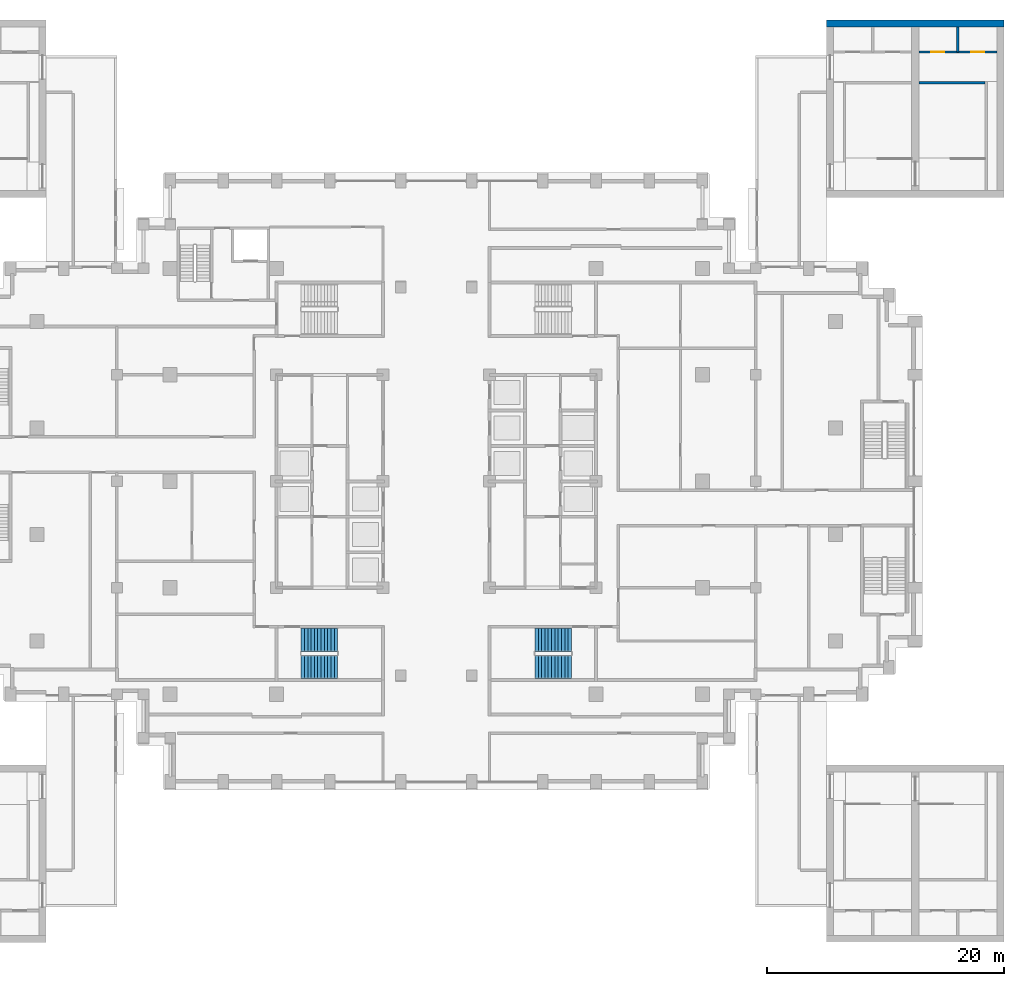
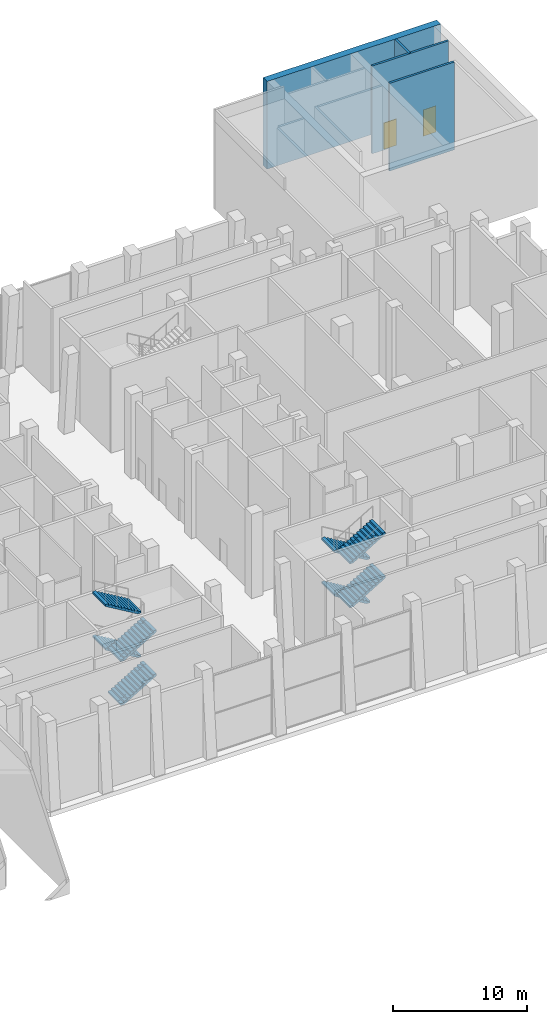
# One storey, part 17 of 24: 8 stair flights, 4 walls, 2 doors, 2 openings, 2 elements without a shape of their own.
"""IFC4 building model written with IfcOpenShell, lengths in metres."""

import ifcopenshell
import ifcopenshell.guid

model = None  # the IFC model being written
_history = None  # IfcOwnerHistory: only IFC2X3 demands one
_inside = {}  # id of a spatial element -> (the spatial element, [elements in it])
_under = {}  # id of a project, library or spatial element -> (it, [spatial elements below it])
_declared = {}  # id of a project -> (the project, [libraries it declares])
_typed = {}  # id of a type object -> (the type object, [elements of that type])
_made_of = {}  # id of a material, layer set ... -> (it, [elements and type objects made of it])


def new_model(schema):
    """Start an empty IFC model of exactly this schema.

    Asked for "IFC4X3", IfcOpenShell would pick the latest addendum, in which some entities
    have other attributes; the version numbers below select the first issue.
    IFC2X3 requires an IfcOwnerHistory on every rooted entity: one is made here for all.
    """
    global model, _history
    if schema == "IFC4X3":
        model = ifcopenshell.file(schema_version=(4, 3, 0, 0))
    else:
        model = ifcopenshell.file(schema=schema)
    _inside.clear()
    _under.clear()
    _declared.clear()
    _typed.clear()
    _made_of.clear()
    _history = None
    if model.schema == "IFC2X3":
        org = make("IfcOrganization", Name="unknown")
        user = make(
            "IfcPersonAndOrganization",
            ThePerson=make("IfcPerson", FamilyName="unknown"),
            TheOrganization=org,
        )
        app = make(
            "IfcApplication",
            ApplicationDeveloper=org,
            Version="unknown",
            ApplicationFullName="unknown",
            ApplicationIdentifier="unknown",
        )
        _history = make(
            "IfcOwnerHistory",
            OwningUser=user,
            OwningApplication=app,
            ChangeAction="ADDED",
            CreationDate=0,
        )
    return model


def make(cls, **values):
    """One entity of the class cls with the attributes given. An attribute that is None is left unset."""
    return model.create_entity(
        cls, **{name: value for name, value in values.items() if value is not None}
    )


def rooted(cls, **values):
    """An entity with a GlobalId (a new one), such as an element, a storey or a relation."""
    return make(cls, GlobalId=ifcopenshell.guid.new(), OwnerHistory=_history, **values)


def si_unit(unit_type, name, prefix=None):
    """IfcSIUnit, for example si_unit("LENGTHUNIT", "METRE", prefix="MILLI")."""
    return make("IfcSIUnit", UnitType=unit_type, Prefix=prefix, Name=name)


def assignment(units):
    """IfcUnitAssignment: the units of a project."""
    return None if units is None else make("IfcUnitAssignment", Units=units)


def point(xyz):
    """IfcCartesianPoint."""
    return None if xyz is None else make("IfcCartesianPoint", Coordinates=xyz)


def direction(xyz):
    """IfcDirection."""
    return None if xyz is None else make("IfcDirection", DirectionRatios=xyz)


def frame(location, z_axis=None, x_axis=None):
    """IfcAxis2Placement3D, a coordinate frame: its origin and axes. An axis left out is left unset."""
    return make(
        "IfcAxis2Placement3D",
        Location=point(location),
        Axis=direction(z_axis),
        RefDirection=direction(x_axis),
    )


def frame_2d(location, x_axis=None):
    """IfcAxis2Placement2D, a coordinate frame in the plane: its origin and x axis."""
    return make(
        "IfcAxis2Placement2D", Location=point(location), RefDirection=direction(x_axis)
    )


def origin():
    """The frame at (0, 0, 0) with its axes left unset."""
    return frame((0.0, 0.0, 0.0))


def place(relative_to, where):
    """IfcLocalPlacement: puts the frame where relative to a parent placement (None: the world)."""
    return make(
        "IfcLocalPlacement", PlacementRelTo=relative_to, RelativePlacement=where
    )


def context(
    kind, dimensions, precision=None, world=None, true_north=None, identifier=None
):
    """IfcGeometricRepresentationContext, for example the 3D "Model" context."""
    return make(
        "IfcGeometricRepresentationContext",
        ContextIdentifier=identifier,
        ContextType=kind,
        CoordinateSpaceDimension=dimensions,
        Precision=precision,
        WorldCoordinateSystem=world,
        TrueNorth=true_north,
    )


def subcontext(parent, identifier, kind, view, scale=None):
    """IfcGeometricRepresentationSubContext, for example "Body" below "Model"."""
    return make(
        "IfcGeometricRepresentationSubContext",
        ContextIdentifier=identifier,
        ContextType=kind,
        ParentContext=parent,
        TargetScale=scale,
        TargetView=view,
    )


def project(units=None, contexts=None):
    """IfcProject with its units and contexts."""
    return rooted(
        "IfcProject",
        Name="project",
        RepresentationContexts=contexts,
        UnitsInContext=assignment(units),
    )


def spatial(cls, under=None, at=None, **own):
    """A site, building, storey or space (cls), placed at a placement, below another one or the project."""
    s = rooted(cls, ObjectPlacement=at, **own)
    if under is not None:
        _under.setdefault(under.id(), (under, []))[1].append(s)
    return s


def polyline(points):
    """IfcPolyline through the points."""
    return make("IfcPolyline", Points=[point(p) for p in points])


def profile(cls, at=None, kind="AREA", **sizes):
    """A parametric profile (cls). Its sizes go by their IFC names, for example OverallWidth=200.0."""
    return make(cls, ProfileType=kind, Position=at, **sizes)


def rectangle(**sizes):
    """IfcRectangleProfileDef."""
    return profile("IfcRectangleProfileDef", **sizes)


def outline(outer, holes=None, kind="AREA"):
    """IfcArbitraryClosedProfileDef: a profile drawn as a closed curve; with holes, ...WithVoids."""
    if holes is None:
        return make("IfcArbitraryClosedProfileDef", ProfileType=kind, OuterCurve=outer)
    return make(
        "IfcArbitraryProfileDefWithVoids",
        ProfileType=kind,
        OuterCurve=outer,
        InnerCurves=holes,
    )


def extrude(swept, where, along, depth):
    """IfcExtrudedAreaSolid: the profile swept, set in the frame where, extruded along a direction by depth."""
    return make(
        "IfcExtrudedAreaSolid",
        SweptArea=swept,
        Position=where,
        ExtrudedDirection=direction(along),
        Depth=depth,
    )


def shape(context_of_items, identifier, shape_type, items):
    """IfcShapeRepresentation: the items that make up one representation, for example the "Body"."""
    return make(
        "IfcShapeRepresentation",
        ContextOfItems=context_of_items,
        RepresentationIdentifier=identifier,
        RepresentationType=shape_type,
        Items=items,
    )


def material(Name=None, Category=None):
    """IfcMaterial."""
    return make("IfcMaterial", Name=Name, Category=Category)


def layer(
    of_material, thickness, ventilated=None, Name=None, Category=None, Priority=None
):
    """IfcMaterialLayer: one layer of a wall or slab, of a material (None: an air gap)."""
    return make(
        "IfcMaterialLayer",
        Material=of_material,
        LayerThickness=thickness,
        IsVentilated=ventilated,
        Name=Name,
        Category=Category,
        Priority=Priority,
    )


def layer_set(layers, Name=None):
    """IfcMaterialLayerSet."""
    return make("IfcMaterialLayerSet", MaterialLayers=layers, LayerSetName=Name)


def made_of(thing, what):
    """Note that an element or type object is made of a material, layer set ...; save() writes the relation."""
    if what is not None:
        _made_of.setdefault(what.id(), (what, []))[1].append(thing)
    return thing


def type_object(cls, material=None, **own):
    """A type object (cls), such as IfcWallType, which elements share."""
    return made_of(rooted(cls, **own), material)


def element(
    cls,
    number,
    at=None,
    inside=None,
    cuts=None,
    type_object=None,
    material=None,
    context=None,
    identifier="Body",
    shape_type=None,
    held_by="IfcProductDefinitionShape",
    body=None,
    shapes=None,
    **own,
):
    """One element of the class cls, such as IfcWall. Its Tag is "e" and its number.

    at: its placement. inside: the storey or other place that contains it. cuts: it is an
    opening in that element (IfcRelVoidsElement). A single representation is given by context,
    identifier, shape_type and body (its items); several are given by shapes. held_by: the class
    of the entity that holds the representations. save() writes the other relations.
    """
    e = rooted(cls, Tag="e%d" % number, ObjectPlacement=at, **own)
    if body is not None:
        shapes = [shape(context, identifier, shape_type, body)]
    if shapes is not None:
        e.Representation = make(held_by, Representations=shapes)
    if inside is not None:
        _inside.setdefault(inside.id(), (inside, []))[1].append(e)
    if cuts is not None:
        rooted(
            "IfcRelVoidsElement", RelatingBuildingElement=cuts, RelatedOpeningElement=e
        )
    if type_object is not None:
        _typed.setdefault(type_object.id(), (type_object, []))[1].append(e)
    return made_of(e, material)


def fill(opening, filler):
    """IfcRelFillsElement: the door or window that sits in an opening."""
    return rooted(
        "IfcRelFillsElement",
        RelatingOpeningElement=opening,
        RelatedBuildingElement=filler,
    )


def aggregate(whole, parts):
    """IfcRelAggregates: a whole, such as a stair, and the parts it consists of."""
    return rooted("IfcRelAggregates", RelatingObject=whole, RelatedObjects=parts)


def save(model, path):
    """Write the relations noted so far, then the file.

    IfcRelAggregates (storeys below a building ...), IfcRelContainedInSpatialStructure (elements
    in a storey), IfcRelDefinesByType, IfcRelAssociatesMaterial and IfcRelDeclares: one each for
    every whole, place, type object, material and project.
    """
    for whole, parts in _under.values():
        aggregate(whole, parts)
    for where, things in _inside.values():
        rooted(
            "IfcRelContainedInSpatialStructure",
            RelatedElements=things,
            RelatingStructure=where,
        )
    for kind, things in _typed.values():
        rooted("IfcRelDefinesByType", RelatedObjects=things, RelatingType=kind)
    for what, things in _made_of.values():
        rooted("IfcRelAssociatesMaterial", RelatedObjects=things, RelatingMaterial=what)
    for by, libraries in _declared.values():
        rooted("IfcRelDeclares", RelatingContext=by, RelatedDefinitions=libraries)
    model.write(path)


model = new_model("IFC4")

# Units and contexts
model_context = context("Model", 3, precision=1e-05, world=origin(), true_north=direction((0.0, 1.0)))
body_context = subcontext(model_context, "Body", "Model", "MODEL_VIEW")
ifc_project = project(units=[si_unit("LENGTHUNIT", "METRE"), si_unit("AREAUNIT", "SQUARE_METRE"), si_unit("VOLUMEUNIT", "CUBIC_METRE"), si_unit("PLANEANGLEUNIT", "RADIAN"), si_unit("MASSUNIT", "GRAM", prefix="KILO")], contexts=[model_context])

# Site, building, storey
site_placement = place(None, origin())
site = spatial("IfcSite", under=ifc_project, at=site_placement, CompositionType="ELEMENT")
building_placement = place(site_placement, origin())
building = spatial("IfcBuilding", under=site, at=building_placement, Name="Corbelhall Arena Tower", CompositionType="ELEMENT")
storey_placement = place(building_placement, frame((0.0, 0.0, 60.0)))
storey = spatial("IfcBuildingStorey", under=building, at=storey_placement, Name="L08", CompositionType="ELEMENT", Elevation=60.0)

# Wall
ifc_material_1 = material(Name="Concrete C80/95", Category="concrete")
ifc_layer_1 = layer(ifc_material_1, 0.60009765625)
ifc_layer_set_1 = layer_set([ifc_layer_1], Name="AR-CORE-WALL-L08")
wall_type_1 = type_object("IfcWallType", Name="AR-CORE-WALL-L08", PredefinedType="SHEAR", material=ifc_layer_set_1)
wall_1_placement = place(storey_placement, frame((33.0, 38.699951171875, 0.0), z_axis=(0.0, 0.0, 1.0), x_axis=(1.0, 0.0, 0.0)))
element("IfcWall", 1, at=wall_1_placement, inside=storey, type_object=wall_type_1, Name="Core NE wall", PredefinedType="SHEAR", context=body_context, shape_type="SweptSolid", body=[
    extrude(rectangle(XDim=15.0, YDim=0.60009765625, at=frame_2d((7.5, 0.0))), origin(), (0.0, 0.0, 1.0), 8.0),
])

# Wall, openings, doors
ifc_material_2 = material(Name="Reinforced concrete C40/50", Category="concrete")
ifc_layer_2 = layer(ifc_material_2, 0.199951171875)
ifc_layer_set_2 = layer_set([ifc_layer_2], Name="AR-SHAFT-WALL")
wall_type_2 = type_object("IfcWallType", Name="AR-SHAFT-WALL", PredefinedType="SHEAR", material=ifc_layer_set_2)
wall_2_placement = place(storey_placement, frame((40.800048828125, 36.300048828125, 0.0), z_axis=(0.0, 0.0, 1.0), x_axis=(1.0, 0.0, 0.0)))
wall_2 = element("IfcWall", 2, at=wall_2_placement, inside=storey, type_object=wall_type_2, Name="Lift lobby wall NE", PredefinedType="SHEAR", context=body_context, shape_type="SweptSolid", body=[
    extrude(rectangle(XDim=6.599853515625, YDim=0.199951171875, at=frame_2d((3.2998046875, 0.0))), origin(), (0.0, 0.0, 1.0), 8.0),
])
opening_1_placement = place(wall_2_placement, frame((1.050048828125, 0.0, 0.0)))
opening_1 = element("IfcOpeningElement", 3, at=opening_1_placement, cuts=wall_2, Name="Opening LD0159", PredefinedType="OPENING", context=body_context, shape_type="SweptSolid", body=[
    extrude(rectangle(XDim=1.10009765625, YDim=2.39990234375, at=frame_2d((0.550048828125, 1.199951171875))), frame((0.0, 0.10009765625, 0.0), z_axis=(0.0, -1.0, 0.0), x_axis=(1.0, 0.0, 0.0)), (0.0, 0.0, 1.0), 0.199951171875),
])
opening_2_placement = place(wall_2_placement, frame((4.449951171875, 0.0, 0.0)))
opening_2 = element("IfcOpeningElement", 4, at=opening_2_placement, cuts=wall_2, Name="Opening LD0160", PredefinedType="OPENING", context=body_context, shape_type="SweptSolid", body=[
    extrude(rectangle(XDim=1.10009765625, YDim=2.39990234375, at=frame_2d((0.550048828125, 1.199951171875))), frame((0.0, 0.10009765625, 0.0), z_axis=(0.0, -1.0, 0.0), x_axis=(1.0, 0.0, 0.0)), (0.0, 0.0, 1.0), 0.199951171875),
])
ifc_material_3 = material(Name="Stainless steel A4", Category="steel")
door_type = type_object("IfcDoorType", Name="AR-LANDING-DOOR", OperationType="DOUBLE_DOOR_SLIDING", PredefinedType="DOOR", material=ifc_material_3)
door_1_placement = place(opening_1_placement, origin())
door_1 = element("IfcDoor", 5, at=door_1_placement, inside=storey, type_object=door_type, Name="Landing door NE LF3 L08", OperationType="DOUBLE_DOOR_SLIDING", OverallHeight=2.39990234375, OverallWidth=1.10009765625, PredefinedType="DOOR", context=body_context, shape_type="SweptSolid", body=[
    extrude(rectangle(XDim=1.10009765625, YDim=2.39990234375, at=frame_2d((0.550048828125, 1.199951171875))), frame((0.0, 0.02490234375, 0.0), z_axis=(0.0, -1.0, 0.0), x_axis=(1.0, 0.0, 0.0)), (0.0, 0.0, 1.0), 0.050048828125),
])
fill(opening_1, door_1)
door_2_placement = place(opening_2_placement, origin())
door_2 = element("IfcDoor", 6, at=door_2_placement, inside=storey, type_object=door_type, Name="Landing door NE LF4 L08", OperationType="DOUBLE_DOOR_SLIDING", OverallHeight=2.39990234375, OverallWidth=1.10009765625, PredefinedType="DOOR", context=body_context, shape_type="SweptSolid", body=[
    extrude(rectangle(XDim=1.10009765625, YDim=2.39990234375, at=frame_2d((0.550048828125, 1.199951171875))), frame((0.0, 0.02490234375, 0.0), z_axis=(0.0, -1.0, 0.0), x_axis=(1.0, 0.0, 0.0)), (0.0, 0.0, 1.0), 0.050048828125),
])
fill(opening_2, door_2)

# Walls
wall_3_placement = place(storey_placement, frame((44.10009765625, 36.300048828125, 0.0), z_axis=(0.0, 0.0, 1.0), x_axis=(0.0, 1.0, 0.0)))
element("IfcWall", 7, at=wall_3_placement, inside=storey, type_object=wall_type_2, Name="Shaft wall NE", PredefinedType="SHEAR", context=body_context, shape_type="SweptSolid", body=[
    extrude(rectangle(XDim=2.099853515625, YDim=0.199951171875, at=frame_2d((1.0498046875, 0.0))), origin(), (0.0, 0.0, 1.0), 8.0),
])
ifc_layer_3 = layer(ifc_material_2, 0.199951171875)
ifc_layer_set_3 = layer_set([ifc_layer_3], Name="AR-STAIR-WALL")
wall_type_3 = type_object("IfcWallType", Name="AR-STAIR-WALL", PredefinedType="SOLIDWALL", material=ifc_layer_set_3)
wall_4_placement = place(storey_placement, frame((40.800048828125, 33.699951171875, 0.0), z_axis=(0.0, 0.0, 1.0), x_axis=(1.0, 0.0, 0.0)))
element("IfcWall", 8, at=wall_4_placement, inside=storey, type_object=wall_type_3, Name="Stair AS2 wall", PredefinedType="SOLIDWALL", context=body_context, shape_type="SweptSolid", body=[
    extrude(rectangle(XDim=5.58984375, YDim=0.199951171875, at=frame_2d((2.794921875, 0.0))), origin(), (0.0, 0.0, 1.0), 8.0),
])

# Stair, stair flights
ifc_material_4 = material(Name="Concrete C40/50", Category="concrete")
stair_type = type_object("IfcStairType", Name="IN-ST-TOWER", PredefinedType="HALF_TURN_STAIR", material=ifc_material_4)
stair_1_placement = place(storey_placement, origin())
stair_1 = element("IfcStair", 9, at=stair_1_placement, inside=storey, type_object=stair_type, Name="L08 Exit stair ST2", PredefinedType="HALF_TURN_STAIR")
stair_flight_type = type_object("IfcStairFlightType", Name="IN-SFL-RC", PredefinedType="STRAIGHT", material=ifc_material_4)
stair_flight_1_placement = place(storey_placement, frame((-11.425048828125, -15.699951171875, 0.0), z_axis=(0.0, 0.0, 1.0), x_axis=(1.0, 0.0, 0.0)))
stair_flight_1 = element("IfcStairFlight", 10, at=stair_flight_1_placement, type_object=stair_flight_type, Name="ST2 flight 1", NumberOfRisers=12, NumberOfTreads=11, PredefinedType="STRAIGHT", RiserHeight=0.166666667, TreadLength=0.28, context=body_context, shape_type="SweptSolid", body=[
    extrude(outline(polyline([(0.0, 0.0), (0.0, 0.166748046875), (0.280029296875, 0.166748046875), (0.280029296875, 0.333251953125), (0.56005859375, 0.333251953125), (0.56005859375, 0.5), (0.840087890625, 0.5), (0.840087890625, 0.666748046875), (1.1201171875, 0.666748046875), (1.1201171875, 0.833251953125), (1.39990234375, 0.833251953125), (1.39990234375, 1.0), (1.679931640625, 1.0), (1.679931640625, 1.166748046875), (1.9599609375, 1.166748046875), (1.9599609375, 1.333251953125), (2.239990234375, 1.333251953125), (2.239990234375, 1.5), (2.52001953125, 1.5), (2.52001953125, 1.666748046875), (2.800048828125, 1.666748046875), (2.800048828125, 1.833251953125), (3.080078125, 1.833251953125), (3.080078125, 2.0), (3.080078125, 1.658935546875), (0.29296875, 0.0), (0.0, 0.0)])), frame((0.0, 0.97509765625, 0.0), z_axis=(0.0, -1.0, 0.0), x_axis=(1.0, 0.0, 0.0)), (0.0, 0.0, 1.0), 0.449951171875),
    extrude(outline(polyline([(0.0, 0.0), (0.0, 0.166748046875), (0.280029296875, 0.166748046875), (0.280029296875, 0.333251953125), (0.56005859375, 0.333251953125), (0.56005859375, 0.5), (0.840087890625, 0.5), (0.840087890625, 0.666748046875), (1.1201171875, 0.666748046875), (1.1201171875, 0.833251953125), (1.39990234375, 0.833251953125), (1.39990234375, 1.0), (1.679931640625, 1.0), (1.679931640625, 1.166748046875), (1.9599609375, 1.166748046875), (1.9599609375, 1.333251953125), (2.239990234375, 1.333251953125), (2.239990234375, 1.5), (2.52001953125, 1.5), (2.52001953125, 1.666748046875), (2.800048828125, 1.666748046875), (2.800048828125, 1.833251953125), (3.080078125, 1.833251953125), (3.080078125, 2.0), (3.080078125, 1.658935546875), (0.29296875, 0.0), (0.0, 0.0)])), frame((0.0, 0.52099609375, 0.0), z_axis=(0.0, -1.0, 0.0), x_axis=(1.0, 0.0, 0.0)), (0.0, 0.0, 1.0), 1.0419921875),
    extrude(outline(polyline([(0.0, 0.0), (0.0, 0.166748046875), (0.280029296875, 0.166748046875), (0.280029296875, 0.333251953125), (0.56005859375, 0.333251953125), (0.56005859375, 0.5), (0.840087890625, 0.5), (0.840087890625, 0.666748046875), (1.1201171875, 0.666748046875), (1.1201171875, 0.833251953125), (1.39990234375, 0.833251953125), (1.39990234375, 1.0), (1.679931640625, 1.0), (1.679931640625, 1.166748046875), (1.9599609375, 1.166748046875), (1.9599609375, 1.333251953125), (2.239990234375, 1.333251953125), (2.239990234375, 1.5), (2.52001953125, 1.5), (2.52001953125, 1.666748046875), (2.800048828125, 1.666748046875), (2.800048828125, 1.833251953125), (3.080078125, 1.833251953125), (3.080078125, 2.0), (3.080078125, 1.658935546875), (0.29296875, 0.0), (0.0, 0.0)])), frame((0.0, -0.52490234375, 0.0), z_axis=(0.0, -1.0, 0.0), x_axis=(1.0, 0.0, 0.0)), (0.0, 0.0, 1.0), 0.449951171875),
])
stair_flight_2_placement = place(storey_placement, frame((-8.344970703125, -13.39990234375, 2.0), z_axis=(0.0, 0.0, 1.0), x_axis=(-1.0, 0.0, 0.0)))
stair_flight_2 = element("IfcStairFlight", 11, at=stair_flight_2_placement, type_object=stair_flight_type, Name="ST2 flight 2", NumberOfRisers=12, NumberOfTreads=11, PredefinedType="STRAIGHT", RiserHeight=0.166666667, TreadLength=0.28, context=body_context, shape_type="SweptSolid", body=[
    extrude(outline(polyline([(0.0, 0.0), (0.0, 0.166748046875), (0.280029296875, 0.166748046875), (0.280029296875, 0.333251953125), (0.56005859375, 0.333251953125), (0.56005859375, 0.5), (0.840087890625, 0.5), (0.840087890625, 0.666748046875), (1.1201171875, 0.666748046875), (1.1201171875, 0.833251953125), (1.39990234375, 0.833251953125), (1.39990234375, 1.0), (1.679931640625, 1.0), (1.679931640625, 1.166748046875), (1.9599609375, 1.166748046875), (1.9599609375, 1.333251953125), (2.239990234375, 1.333251953125), (2.239990234375, 1.5), (2.52001953125, 1.5), (2.52001953125, 1.666748046875), (2.800048828125, 1.666748046875), (2.800048828125, 1.833251953125), (3.080078125, 1.833251953125), (3.080078125, 2.0), (3.080078125, 1.658935546875), (0.29296875, 0.0), (0.0, 0.0)])), frame((0.0, 0.97509765625, 0.0), z_axis=(0.0, -1.0, 0.0), x_axis=(1.0, 0.0, 0.0)), (0.0, 0.0, 1.0), 0.449951171875),
    extrude(outline(polyline([(0.0, 0.0), (0.0, 0.166748046875), (0.280029296875, 0.166748046875), (0.280029296875, 0.333251953125), (0.56005859375, 0.333251953125), (0.56005859375, 0.5), (0.840087890625, 0.5), (0.840087890625, 0.666748046875), (1.1201171875, 0.666748046875), (1.1201171875, 0.833251953125), (1.39990234375, 0.833251953125), (1.39990234375, 1.0), (1.679931640625, 1.0), (1.679931640625, 1.166748046875), (1.9599609375, 1.166748046875), (1.9599609375, 1.333251953125), (2.239990234375, 1.333251953125), (2.239990234375, 1.5), (2.52001953125, 1.5), (2.52001953125, 1.666748046875), (2.800048828125, 1.666748046875), (2.800048828125, 1.833251953125), (3.080078125, 1.833251953125), (3.080078125, 2.0), (3.080078125, 1.658935546875), (0.29296875, 0.0), (0.0, 0.0)])), frame((0.0, 0.52099609375, 0.0), z_axis=(0.0, -1.0, 0.0), x_axis=(1.0, 0.0, 0.0)), (0.0, 0.0, 1.0), 1.0419921875),
    extrude(outline(polyline([(0.0, 0.0), (0.0, 0.166748046875), (0.280029296875, 0.166748046875), (0.280029296875, 0.333251953125), (0.56005859375, 0.333251953125), (0.56005859375, 0.5), (0.840087890625, 0.5), (0.840087890625, 0.666748046875), (1.1201171875, 0.666748046875), (1.1201171875, 0.833251953125), (1.39990234375, 0.833251953125), (1.39990234375, 1.0), (1.679931640625, 1.0), (1.679931640625, 1.166748046875), (1.9599609375, 1.166748046875), (1.9599609375, 1.333251953125), (2.239990234375, 1.333251953125), (2.239990234375, 1.5), (2.52001953125, 1.5), (2.52001953125, 1.666748046875), (2.800048828125, 1.666748046875), (2.800048828125, 1.833251953125), (3.080078125, 1.833251953125), (3.080078125, 2.0), (3.080078125, 1.658935546875), (0.29296875, 0.0), (0.0, 0.0)])), frame((0.0, -0.52490234375, 0.0), z_axis=(0.0, -1.0, 0.0), x_axis=(1.0, 0.0, 0.0)), (0.0, 0.0, 1.0), 0.449951171875),
])
stair_flight_3_placement = place(storey_placement, frame((-11.425048828125, -15.699951171875, 4.0), z_axis=(0.0, 0.0, 1.0), x_axis=(1.0, 0.0, 0.0)))
stair_flight_3 = element("IfcStairFlight", 12, at=stair_flight_3_placement, type_object=stair_flight_type, Name="ST2 flight 3", NumberOfRisers=12, NumberOfTreads=11, PredefinedType="STRAIGHT", RiserHeight=0.166666667, TreadLength=0.28, context=body_context, shape_type="SweptSolid", body=[
    extrude(outline(polyline([(0.0, 0.0), (0.0, 0.166748046875), (0.280029296875, 0.166748046875), (0.280029296875, 0.333251953125), (0.56005859375, 0.333251953125), (0.56005859375, 0.5), (0.840087890625, 0.5), (0.840087890625, 0.666748046875), (1.1201171875, 0.666748046875), (1.1201171875, 0.833251953125), (1.39990234375, 0.833251953125), (1.39990234375, 1.0), (1.679931640625, 1.0), (1.679931640625, 1.166748046875), (1.9599609375, 1.166748046875), (1.9599609375, 1.333251953125), (2.239990234375, 1.333251953125), (2.239990234375, 1.5), (2.52001953125, 1.5), (2.52001953125, 1.666748046875), (2.800048828125, 1.666748046875), (2.800048828125, 1.833251953125), (3.080078125, 1.833251953125), (3.080078125, 2.0), (3.080078125, 1.658935546875), (0.29296875, 0.0), (0.0, 0.0)])), frame((0.0, 0.97509765625, 0.0), z_axis=(0.0, -1.0, 0.0), x_axis=(1.0, 0.0, 0.0)), (0.0, 0.0, 1.0), 0.449951171875),
    extrude(outline(polyline([(0.0, 0.0), (0.0, 0.166748046875), (0.280029296875, 0.166748046875), (0.280029296875, 0.333251953125), (0.56005859375, 0.333251953125), (0.56005859375, 0.5), (0.840087890625, 0.5), (0.840087890625, 0.666748046875), (1.1201171875, 0.666748046875), (1.1201171875, 0.833251953125), (1.39990234375, 0.833251953125), (1.39990234375, 1.0), (1.679931640625, 1.0), (1.679931640625, 1.166748046875), (1.9599609375, 1.166748046875), (1.9599609375, 1.333251953125), (2.239990234375, 1.333251953125), (2.239990234375, 1.5), (2.52001953125, 1.5), (2.52001953125, 1.666748046875), (2.800048828125, 1.666748046875), (2.800048828125, 1.833251953125), (3.080078125, 1.833251953125), (3.080078125, 2.0), (3.080078125, 1.658935546875), (0.29296875, 0.0), (0.0, 0.0)])), frame((0.0, 0.52099609375, 0.0), z_axis=(0.0, -1.0, 0.0), x_axis=(1.0, 0.0, 0.0)), (0.0, 0.0, 1.0), 1.0419921875),
    extrude(outline(polyline([(0.0, 0.0), (0.0, 0.166748046875), (0.280029296875, 0.166748046875), (0.280029296875, 0.333251953125), (0.56005859375, 0.333251953125), (0.56005859375, 0.5), (0.840087890625, 0.5), (0.840087890625, 0.666748046875), (1.1201171875, 0.666748046875), (1.1201171875, 0.833251953125), (1.39990234375, 0.833251953125), (1.39990234375, 1.0), (1.679931640625, 1.0), (1.679931640625, 1.166748046875), (1.9599609375, 1.166748046875), (1.9599609375, 1.333251953125), (2.239990234375, 1.333251953125), (2.239990234375, 1.5), (2.52001953125, 1.5), (2.52001953125, 1.666748046875), (2.800048828125, 1.666748046875), (2.800048828125, 1.833251953125), (3.080078125, 1.833251953125), (3.080078125, 2.0), (3.080078125, 1.658935546875), (0.29296875, 0.0), (0.0, 0.0)])), frame((0.0, -0.52490234375, 0.0), z_axis=(0.0, -1.0, 0.0), x_axis=(1.0, 0.0, 0.0)), (0.0, 0.0, 1.0), 0.449951171875),
])
stair_flight_4_placement = place(storey_placement, frame((-8.344970703125, -13.39990234375, 6.0), z_axis=(0.0, 0.0, 1.0), x_axis=(-1.0, 0.0, 0.0)))
stair_flight_4 = element("IfcStairFlight", 13, at=stair_flight_4_placement, type_object=stair_flight_type, Name="ST2 flight 4", NumberOfRisers=12, NumberOfTreads=11, PredefinedType="STRAIGHT", RiserHeight=0.166666667, TreadLength=0.28, context=body_context, shape_type="SweptSolid", body=[
    extrude(outline(polyline([(0.0, 0.0), (0.0, 0.166748046875), (0.280029296875, 0.166748046875), (0.280029296875, 0.333251953125), (0.56005859375, 0.333251953125), (0.56005859375, 0.5), (0.840087890625, 0.5), (0.840087890625, 0.666748046875), (1.1201171875, 0.666748046875), (1.1201171875, 0.833251953125), (1.39990234375, 0.833251953125), (1.39990234375, 1.0), (1.679931640625, 1.0), (1.679931640625, 1.166748046875), (1.9599609375, 1.166748046875), (1.9599609375, 1.333251953125), (2.239990234375, 1.333251953125), (2.239990234375, 1.5), (2.52001953125, 1.5), (2.52001953125, 1.666748046875), (2.800048828125, 1.666748046875), (2.800048828125, 1.833251953125), (3.080078125, 1.833251953125), (3.080078125, 2.0), (3.080078125, 1.658935546875), (0.29296875, 0.0), (0.0, 0.0)])), frame((0.0, 0.97509765625, 0.0), z_axis=(0.0, -1.0, 0.0), x_axis=(1.0, 0.0, 0.0)), (0.0, 0.0, 1.0), 0.449951171875),
    extrude(outline(polyline([(0.0, 0.0), (0.0, 0.166748046875), (0.280029296875, 0.166748046875), (0.280029296875, 0.333251953125), (0.56005859375, 0.333251953125), (0.56005859375, 0.5), (0.840087890625, 0.5), (0.840087890625, 0.666748046875), (1.1201171875, 0.666748046875), (1.1201171875, 0.833251953125), (1.39990234375, 0.833251953125), (1.39990234375, 1.0), (1.679931640625, 1.0), (1.679931640625, 1.166748046875), (1.9599609375, 1.166748046875), (1.9599609375, 1.333251953125), (2.239990234375, 1.333251953125), (2.239990234375, 1.5), (2.52001953125, 1.5), (2.52001953125, 1.666748046875), (2.800048828125, 1.666748046875), (2.800048828125, 1.833251953125), (3.080078125, 1.833251953125), (3.080078125, 2.0), (3.080078125, 1.658935546875), (0.29296875, 0.0), (0.0, 0.0)])), frame((0.0, 0.52099609375, 0.0), z_axis=(0.0, -1.0, 0.0), x_axis=(1.0, 0.0, 0.0)), (0.0, 0.0, 1.0), 1.0419921875),
    extrude(outline(polyline([(0.0, 0.0), (0.0, 0.166748046875), (0.280029296875, 0.166748046875), (0.280029296875, 0.333251953125), (0.56005859375, 0.333251953125), (0.56005859375, 0.5), (0.840087890625, 0.5), (0.840087890625, 0.666748046875), (1.1201171875, 0.666748046875), (1.1201171875, 0.833251953125), (1.39990234375, 0.833251953125), (1.39990234375, 1.0), (1.679931640625, 1.0), (1.679931640625, 1.166748046875), (1.9599609375, 1.166748046875), (1.9599609375, 1.333251953125), (2.239990234375, 1.333251953125), (2.239990234375, 1.5), (2.52001953125, 1.5), (2.52001953125, 1.666748046875), (2.800048828125, 1.666748046875), (2.800048828125, 1.833251953125), (3.080078125, 1.833251953125), (3.080078125, 2.0), (3.080078125, 1.658935546875), (0.29296875, 0.0), (0.0, 0.0)])), frame((0.0, -0.52490234375, 0.0), z_axis=(0.0, -1.0, 0.0), x_axis=(1.0, 0.0, 0.0)), (0.0, 0.0, 1.0), 0.449951171875),
])
aggregate(stair_1, [stair_flight_1, stair_flight_2, stair_flight_3, stair_flight_4])

stair_2_placement = place(storey_placement, origin())
stair_2 = element("IfcStair", 14, at=stair_2_placement, inside=storey, type_object=stair_type, Name="L08 Exit stair ST4", PredefinedType="HALF_TURN_STAIR")
stair_flight_5_placement = place(storey_placement, frame((11.425048828125, -13.39990234375, 0.0), z_axis=(0.0, 0.0, 1.0), x_axis=(-1.0, 0.0, 0.0)))
stair_flight_5 = element("IfcStairFlight", 15, at=stair_flight_5_placement, type_object=stair_flight_type, Name="ST4 flight 1", NumberOfRisers=12, NumberOfTreads=11, PredefinedType="STRAIGHT", RiserHeight=0.166666667, TreadLength=0.28, context=body_context, shape_type="SweptSolid", body=[
    extrude(outline(polyline([(0.0, 0.0), (0.0, 0.166748046875), (0.280029296875, 0.166748046875), (0.280029296875, 0.333251953125), (0.56005859375, 0.333251953125), (0.56005859375, 0.5), (0.840087890625, 0.5), (0.840087890625, 0.666748046875), (1.1201171875, 0.666748046875), (1.1201171875, 0.833251953125), (1.39990234375, 0.833251953125), (1.39990234375, 1.0), (1.679931640625, 1.0), (1.679931640625, 1.166748046875), (1.9599609375, 1.166748046875), (1.9599609375, 1.333251953125), (2.239990234375, 1.333251953125), (2.239990234375, 1.5), (2.52001953125, 1.5), (2.52001953125, 1.666748046875), (2.800048828125, 1.666748046875), (2.800048828125, 1.833251953125), (3.080078125, 1.833251953125), (3.080078125, 2.0), (3.080078125, 1.658935546875), (0.29296875, 0.0), (0.0, 0.0)])), frame((0.0, 0.97509765625, 0.0), z_axis=(0.0, -1.0, 0.0), x_axis=(1.0, 0.0, 0.0)), (0.0, 0.0, 1.0), 0.449951171875),
    extrude(outline(polyline([(0.0, 0.0), (0.0, 0.166748046875), (0.280029296875, 0.166748046875), (0.280029296875, 0.333251953125), (0.56005859375, 0.333251953125), (0.56005859375, 0.5), (0.840087890625, 0.5), (0.840087890625, 0.666748046875), (1.1201171875, 0.666748046875), (1.1201171875, 0.833251953125), (1.39990234375, 0.833251953125), (1.39990234375, 1.0), (1.679931640625, 1.0), (1.679931640625, 1.166748046875), (1.9599609375, 1.166748046875), (1.9599609375, 1.333251953125), (2.239990234375, 1.333251953125), (2.239990234375, 1.5), (2.52001953125, 1.5), (2.52001953125, 1.666748046875), (2.800048828125, 1.666748046875), (2.800048828125, 1.833251953125), (3.080078125, 1.833251953125), (3.080078125, 2.0), (3.080078125, 1.658935546875), (0.29296875, 0.0), (0.0, 0.0)])), frame((0.0, 0.52099609375, 0.0), z_axis=(0.0, -1.0, 0.0), x_axis=(1.0, 0.0, 0.0)), (0.0, 0.0, 1.0), 1.0419921875),
    extrude(outline(polyline([(0.0, 0.0), (0.0, 0.166748046875), (0.280029296875, 0.166748046875), (0.280029296875, 0.333251953125), (0.56005859375, 0.333251953125), (0.56005859375, 0.5), (0.840087890625, 0.5), (0.840087890625, 0.666748046875), (1.1201171875, 0.666748046875), (1.1201171875, 0.833251953125), (1.39990234375, 0.833251953125), (1.39990234375, 1.0), (1.679931640625, 1.0), (1.679931640625, 1.166748046875), (1.9599609375, 1.166748046875), (1.9599609375, 1.333251953125), (2.239990234375, 1.333251953125), (2.239990234375, 1.5), (2.52001953125, 1.5), (2.52001953125, 1.666748046875), (2.800048828125, 1.666748046875), (2.800048828125, 1.833251953125), (3.080078125, 1.833251953125), (3.080078125, 2.0), (3.080078125, 1.658935546875), (0.29296875, 0.0), (0.0, 0.0)])), frame((0.0, -0.52490234375, 0.0), z_axis=(0.0, -1.0, 0.0), x_axis=(1.0, 0.0, 0.0)), (0.0, 0.0, 1.0), 0.449951171875),
])
stair_flight_6_placement = place(storey_placement, frame((8.344970703125, -15.699951171875, 2.0), z_axis=(0.0, 0.0, 1.0), x_axis=(1.0, 0.0, 0.0)))
stair_flight_6 = element("IfcStairFlight", 16, at=stair_flight_6_placement, type_object=stair_flight_type, Name="ST4 flight 2", NumberOfRisers=12, NumberOfTreads=11, PredefinedType="STRAIGHT", RiserHeight=0.166666667, TreadLength=0.28, context=body_context, shape_type="SweptSolid", body=[
    extrude(outline(polyline([(0.0, 0.0), (0.0, 0.166748046875), (0.280029296875, 0.166748046875), (0.280029296875, 0.333251953125), (0.56005859375, 0.333251953125), (0.56005859375, 0.5), (0.840087890625, 0.5), (0.840087890625, 0.666748046875), (1.1201171875, 0.666748046875), (1.1201171875, 0.833251953125), (1.39990234375, 0.833251953125), (1.39990234375, 1.0), (1.679931640625, 1.0), (1.679931640625, 1.166748046875), (1.9599609375, 1.166748046875), (1.9599609375, 1.333251953125), (2.239990234375, 1.333251953125), (2.239990234375, 1.5), (2.52001953125, 1.5), (2.52001953125, 1.666748046875), (2.800048828125, 1.666748046875), (2.800048828125, 1.833251953125), (3.080078125, 1.833251953125), (3.080078125, 2.0), (3.080078125, 1.658935546875), (0.29296875, 0.0), (0.0, 0.0)])), frame((0.0, 0.97509765625, 0.0), z_axis=(0.0, -1.0, 0.0), x_axis=(1.0, 0.0, 0.0)), (0.0, 0.0, 1.0), 0.449951171875),
    extrude(outline(polyline([(0.0, 0.0), (0.0, 0.166748046875), (0.280029296875, 0.166748046875), (0.280029296875, 0.333251953125), (0.56005859375, 0.333251953125), (0.56005859375, 0.5), (0.840087890625, 0.5), (0.840087890625, 0.666748046875), (1.1201171875, 0.666748046875), (1.1201171875, 0.833251953125), (1.39990234375, 0.833251953125), (1.39990234375, 1.0), (1.679931640625, 1.0), (1.679931640625, 1.166748046875), (1.9599609375, 1.166748046875), (1.9599609375, 1.333251953125), (2.239990234375, 1.333251953125), (2.239990234375, 1.5), (2.52001953125, 1.5), (2.52001953125, 1.666748046875), (2.800048828125, 1.666748046875), (2.800048828125, 1.833251953125), (3.080078125, 1.833251953125), (3.080078125, 2.0), (3.080078125, 1.658935546875), (0.29296875, 0.0), (0.0, 0.0)])), frame((0.0, 0.52099609375, 0.0), z_axis=(0.0, -1.0, 0.0), x_axis=(1.0, 0.0, 0.0)), (0.0, 0.0, 1.0), 1.0419921875),
    extrude(outline(polyline([(0.0, 0.0), (0.0, 0.166748046875), (0.280029296875, 0.166748046875), (0.280029296875, 0.333251953125), (0.56005859375, 0.333251953125), (0.56005859375, 0.5), (0.840087890625, 0.5), (0.840087890625, 0.666748046875), (1.1201171875, 0.666748046875), (1.1201171875, 0.833251953125), (1.39990234375, 0.833251953125), (1.39990234375, 1.0), (1.679931640625, 1.0), (1.679931640625, 1.166748046875), (1.9599609375, 1.166748046875), (1.9599609375, 1.333251953125), (2.239990234375, 1.333251953125), (2.239990234375, 1.5), (2.52001953125, 1.5), (2.52001953125, 1.666748046875), (2.800048828125, 1.666748046875), (2.800048828125, 1.833251953125), (3.080078125, 1.833251953125), (3.080078125, 2.0), (3.080078125, 1.658935546875), (0.29296875, 0.0), (0.0, 0.0)])), frame((0.0, -0.52490234375, 0.0), z_axis=(0.0, -1.0, 0.0), x_axis=(1.0, 0.0, 0.0)), (0.0, 0.0, 1.0), 0.449951171875),
])
stair_flight_7_placement = place(storey_placement, frame((11.425048828125, -13.39990234375, 4.0), z_axis=(0.0, 0.0, 1.0), x_axis=(-1.0, 0.0, 0.0)))
stair_flight_7 = element("IfcStairFlight", 17, at=stair_flight_7_placement, type_object=stair_flight_type, Name="ST4 flight 3", NumberOfRisers=12, NumberOfTreads=11, PredefinedType="STRAIGHT", RiserHeight=0.166666667, TreadLength=0.28, context=body_context, shape_type="SweptSolid", body=[
    extrude(outline(polyline([(0.0, 0.0), (0.0, 0.166748046875), (0.280029296875, 0.166748046875), (0.280029296875, 0.333251953125), (0.56005859375, 0.333251953125), (0.56005859375, 0.5), (0.840087890625, 0.5), (0.840087890625, 0.666748046875), (1.1201171875, 0.666748046875), (1.1201171875, 0.833251953125), (1.39990234375, 0.833251953125), (1.39990234375, 1.0), (1.679931640625, 1.0), (1.679931640625, 1.166748046875), (1.9599609375, 1.166748046875), (1.9599609375, 1.333251953125), (2.239990234375, 1.333251953125), (2.239990234375, 1.5), (2.52001953125, 1.5), (2.52001953125, 1.666748046875), (2.800048828125, 1.666748046875), (2.800048828125, 1.833251953125), (3.080078125, 1.833251953125), (3.080078125, 2.0), (3.080078125, 1.658935546875), (0.29296875, 0.0), (0.0, 0.0)])), frame((0.0, 0.97509765625, 0.0), z_axis=(0.0, -1.0, 0.0), x_axis=(1.0, 0.0, 0.0)), (0.0, 0.0, 1.0), 0.449951171875),
    extrude(outline(polyline([(0.0, 0.0), (0.0, 0.166748046875), (0.280029296875, 0.166748046875), (0.280029296875, 0.333251953125), (0.56005859375, 0.333251953125), (0.56005859375, 0.5), (0.840087890625, 0.5), (0.840087890625, 0.666748046875), (1.1201171875, 0.666748046875), (1.1201171875, 0.833251953125), (1.39990234375, 0.833251953125), (1.39990234375, 1.0), (1.679931640625, 1.0), (1.679931640625, 1.166748046875), (1.9599609375, 1.166748046875), (1.9599609375, 1.333251953125), (2.239990234375, 1.333251953125), (2.239990234375, 1.5), (2.52001953125, 1.5), (2.52001953125, 1.666748046875), (2.800048828125, 1.666748046875), (2.800048828125, 1.833251953125), (3.080078125, 1.833251953125), (3.080078125, 2.0), (3.080078125, 1.658935546875), (0.29296875, 0.0), (0.0, 0.0)])), frame((0.0, 0.52099609375, 0.0), z_axis=(0.0, -1.0, 0.0), x_axis=(1.0, 0.0, 0.0)), (0.0, 0.0, 1.0), 1.0419921875),
    extrude(outline(polyline([(0.0, 0.0), (0.0, 0.166748046875), (0.280029296875, 0.166748046875), (0.280029296875, 0.333251953125), (0.56005859375, 0.333251953125), (0.56005859375, 0.5), (0.840087890625, 0.5), (0.840087890625, 0.666748046875), (1.1201171875, 0.666748046875), (1.1201171875, 0.833251953125), (1.39990234375, 0.833251953125), (1.39990234375, 1.0), (1.679931640625, 1.0), (1.679931640625, 1.166748046875), (1.9599609375, 1.166748046875), (1.9599609375, 1.333251953125), (2.239990234375, 1.333251953125), (2.239990234375, 1.5), (2.52001953125, 1.5), (2.52001953125, 1.666748046875), (2.800048828125, 1.666748046875), (2.800048828125, 1.833251953125), (3.080078125, 1.833251953125), (3.080078125, 2.0), (3.080078125, 1.658935546875), (0.29296875, 0.0), (0.0, 0.0)])), frame((0.0, -0.52490234375, 0.0), z_axis=(0.0, -1.0, 0.0), x_axis=(1.0, 0.0, 0.0)), (0.0, 0.0, 1.0), 0.449951171875),
])
stair_flight_8_placement = place(storey_placement, frame((8.344970703125, -15.699951171875, 6.0), z_axis=(0.0, 0.0, 1.0), x_axis=(1.0, 0.0, 0.0)))
stair_flight_8 = element("IfcStairFlight", 18, at=stair_flight_8_placement, type_object=stair_flight_type, Name="ST4 flight 4", NumberOfRisers=12, NumberOfTreads=11, PredefinedType="STRAIGHT", RiserHeight=0.166666667, TreadLength=0.28, context=body_context, shape_type="SweptSolid", body=[
    extrude(outline(polyline([(0.0, 0.0), (0.0, 0.166748046875), (0.280029296875, 0.166748046875), (0.280029296875, 0.333251953125), (0.56005859375, 0.333251953125), (0.56005859375, 0.5), (0.840087890625, 0.5), (0.840087890625, 0.666748046875), (1.1201171875, 0.666748046875), (1.1201171875, 0.833251953125), (1.39990234375, 0.833251953125), (1.39990234375, 1.0), (1.679931640625, 1.0), (1.679931640625, 1.166748046875), (1.9599609375, 1.166748046875), (1.9599609375, 1.333251953125), (2.239990234375, 1.333251953125), (2.239990234375, 1.5), (2.52001953125, 1.5), (2.52001953125, 1.666748046875), (2.800048828125, 1.666748046875), (2.800048828125, 1.833251953125), (3.080078125, 1.833251953125), (3.080078125, 2.0), (3.080078125, 1.658935546875), (0.29296875, 0.0), (0.0, 0.0)])), frame((0.0, 0.97509765625, 0.0), z_axis=(0.0, -1.0, 0.0), x_axis=(1.0, 0.0, 0.0)), (0.0, 0.0, 1.0), 0.449951171875),
    extrude(outline(polyline([(0.0, 0.0), (0.0, 0.166748046875), (0.280029296875, 0.166748046875), (0.280029296875, 0.333251953125), (0.56005859375, 0.333251953125), (0.56005859375, 0.5), (0.840087890625, 0.5), (0.840087890625, 0.666748046875), (1.1201171875, 0.666748046875), (1.1201171875, 0.833251953125), (1.39990234375, 0.833251953125), (1.39990234375, 1.0), (1.679931640625, 1.0), (1.679931640625, 1.166748046875), (1.9599609375, 1.166748046875), (1.9599609375, 1.333251953125), (2.239990234375, 1.333251953125), (2.239990234375, 1.5), (2.52001953125, 1.5), (2.52001953125, 1.666748046875), (2.800048828125, 1.666748046875), (2.800048828125, 1.833251953125), (3.080078125, 1.833251953125), (3.080078125, 2.0), (3.080078125, 1.658935546875), (0.29296875, 0.0), (0.0, 0.0)])), frame((0.0, 0.52099609375, 0.0), z_axis=(0.0, -1.0, 0.0), x_axis=(1.0, 0.0, 0.0)), (0.0, 0.0, 1.0), 1.0419921875),
    extrude(outline(polyline([(0.0, 0.0), (0.0, 0.166748046875), (0.280029296875, 0.166748046875), (0.280029296875, 0.333251953125), (0.56005859375, 0.333251953125), (0.56005859375, 0.5), (0.840087890625, 0.5), (0.840087890625, 0.666748046875), (1.1201171875, 0.666748046875), (1.1201171875, 0.833251953125), (1.39990234375, 0.833251953125), (1.39990234375, 1.0), (1.679931640625, 1.0), (1.679931640625, 1.166748046875), (1.9599609375, 1.166748046875), (1.9599609375, 1.333251953125), (2.239990234375, 1.333251953125), (2.239990234375, 1.5), (2.52001953125, 1.5), (2.52001953125, 1.666748046875), (2.800048828125, 1.666748046875), (2.800048828125, 1.833251953125), (3.080078125, 1.833251953125), (3.080078125, 2.0), (3.080078125, 1.658935546875), (0.29296875, 0.0), (0.0, 0.0)])), frame((0.0, -0.52490234375, 0.0), z_axis=(0.0, -1.0, 0.0), x_axis=(1.0, 0.0, 0.0)), (0.0, 0.0, 1.0), 0.449951171875),
])
aggregate(stair_2, [stair_flight_5, stair_flight_6, stair_flight_7, stair_flight_8])

save(model, "model.ifc")
